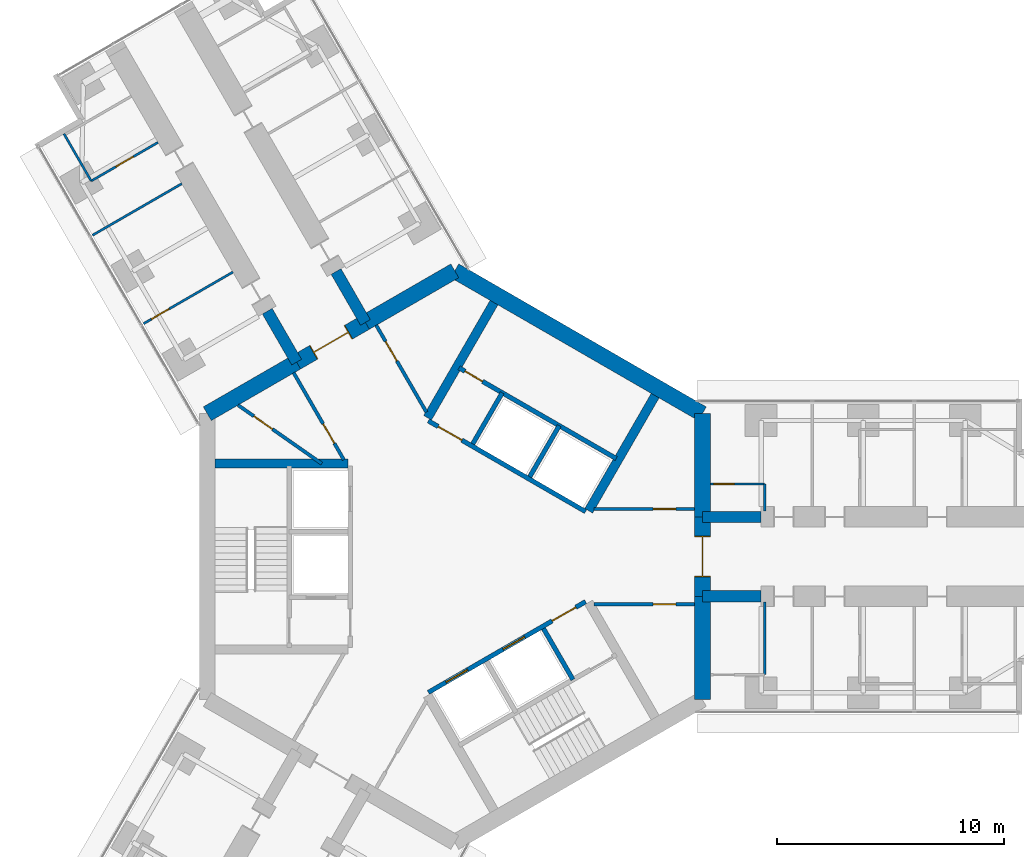
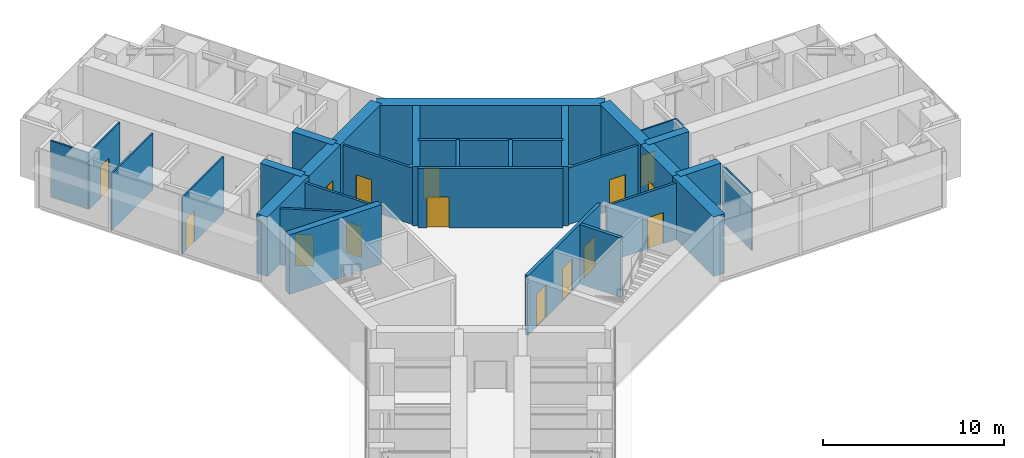
# One storey, part 18 of 25: 32 walls, 15 doors, 15 openings.
"""IFC4 building model written with IfcOpenShell, lengths in metres."""

from ifc_helpers import new_model, si_unit, direction, frame, frame_2d, origin, place, context, subcontext, project, spatial, rectangle, extrude, material, layer, layer_set, type_object, element, fill, save


model = new_model("IFC4")

# Units and contexts
model_context = context("Model", 3, precision=1e-05, world=origin(), true_north=direction((0.0, 1.0)))
body_context = subcontext(model_context, "Body", "Model", "MODEL_VIEW")
ifc_project = project(units=[si_unit("LENGTHUNIT", "METRE"), si_unit("AREAUNIT", "SQUARE_METRE"), si_unit("VOLUMEUNIT", "CUBIC_METRE"), si_unit("PLANEANGLEUNIT", "RADIAN"), si_unit("MASSUNIT", "GRAM", prefix="KILO")], contexts=[model_context])

# Site, building, storey
site_placement = place(None, origin())
site = spatial("IfcSite", under=ifc_project, at=site_placement, CompositionType="ELEMENT")
building_placement = place(site_placement, origin())
building = spatial("IfcBuilding", under=site, at=building_placement, Name="Upepo Twin Towers", CompositionType="ELEMENT")
storey_placement = place(building_placement, frame((0.0, 0.0, 84.5)))
storey = spatial("IfcBuildingStorey", under=building, at=storey_placement, Name="L20", CompositionType="ELEMENT", Elevation=84.5)

# Walls
ifc_material_1 = material(Name="Concrete C60/75", Category="concrete")
ifc_layer_1 = layer(ifc_material_1, 0.5)
ifc_layer_set_1 = layer_set([ifc_layer_1], Name="Concrete C60/75")
wall_type_1 = type_object("IfcWallType", Name="Buttress wall 500 RC", PredefinedType="SHEAR", material=ifc_layer_set_1)
for number, where, z_axis, x_axis, name in (
    (1, (10.908447265625, 1.75, 0.0), (0.0, 0.0, 1.0), (1.0, 0.0, 0.0), "T1 wing A buttress wall L"),
    (2, (10.908447265625, -1.75, 0.0), (0.0, 0.0, 1.0), (1.0, 0.0, 0.0), "T1 wing A buttress wall R"),
):
    element("IfcWall", number, at=place(storey_placement, frame(where, z_axis=z_axis, x_axis=x_axis)), inside=storey, type_object=wall_type_1, Name=name, PredefinedType="SHEAR", context=body_context, shape_type="SweptSolid", body=[
        extrude(rectangle(XDim=2.591552734375, YDim=0.5, at=frame_2d((1.2958984375, 0.0))), origin(), (0.0, 0.0, 1.0), 4.0),
    ])
for number, where, z_axis, x_axis, name in (
    (3, (-6.9697265625, 8.57177734375, 0.0), (0.0, 0.0, 1.0), (-0.499988811324, 0.866031863473, 0.0), "T1 wing B buttress wall L"),
    (4, (-3.938720703125, 10.32177734375, 0.0), (0.0, 0.0, 1.0), (-0.499918158782, 0.866072649678, 0.0), "T1 wing B buttress wall R"),
):
    element("IfcWall", number, at=place(storey_placement, frame(where, z_axis=z_axis, x_axis=x_axis)), inside=storey, type_object=wall_type_1, Name=name, PredefinedType="SHEAR", context=body_context, shape_type="SweptSolid", body=[
        extrude(rectangle(XDim=2.591796875, YDim=0.5, at=frame_2d((1.2958984375, 0.0))), origin(), (0.0, 0.0, 1.0), 4.0),
    ])
ifc_material_2 = material(Name="Concrete C60/75", Category="concrete")
ifc_layer_2 = layer(ifc_material_2, 0.699951171875)
ifc_layer_set_2 = layer_set([ifc_layer_2], Name="Concrete C60/75")
wall_type_2 = type_object("IfcWallType", Name="Core wall 700 RC", PredefinedType="SHEAR", material=ifc_layer_set_2)
wall_1_placement = place(storey_placement, frame((10.908447265625, -6.2978515625, 0.0), z_axis=(0.0, 0.0, 1.0), x_axis=(0.0, 1.0, 0.0)))
element("IfcWall", 5, at=wall_1_placement, inside=storey, type_object=wall_type_2, Name="T1 core wall 000 R", PredefinedType="SHEAR", context=body_context, shape_type="SweptSolid", body=[
    extrude(rectangle(XDim=4.5478515625, YDim=0.699951171875, at=frame_2d((2.27392578125, 0.0))), origin(), (0.0, 0.0, 1.0), 4.0),
])

# Wall, opening, door
wall_2_placement = place(storey_placement, frame((10.908447265625, -1.75, 0.0), z_axis=(0.0, 0.0, 1.0), x_axis=(0.0, 1.0, 0.0)))
wall_2 = element("IfcWall", 6, at=wall_2_placement, inside=storey, type_object=wall_type_2, Name="T1 core wall 000", PredefinedType="SHEAR", context=body_context, shape_type="SweptSolid", body=[
    extrude(rectangle(XDim=3.5, YDim=0.699951171875, at=frame_2d((1.75, 0.0))), origin(), (0.0, 0.0, 1.0), 4.0),
])
opening_1_placement = place(wall_2_placement, frame((0.85009765625, 0.0, 0.0)))
opening_1 = element("IfcOpeningElement", 7, at=opening_1_placement, cuts=wall_2, Name="Opening D2", PredefinedType="OPENING", context=body_context, shape_type="SweptSolid", body=[
    extrude(rectangle(XDim=1.800048828125, YDim=2.10009765625, at=frame_2d((0.89990234375, 1.050048828125))), frame((0.0, 0.35986328125, 0.0), z_axis=(0.0, -1.0, 0.0), x_axis=(1.0, 0.0, 0.0)), (0.0, 0.0, 1.0), 0.719970703125),
])
ifc_material_3 = material(Name="Timber doorset", Category="wood")
door_type_1 = type_object("IfcDoorType", Name="Corridor double door 1800 FD60", OperationType="DOUBLE_DOOR_DOUBLE_SWING", PredefinedType="DOOR", material=ifc_material_3)
door_1_placement = place(opening_1_placement, origin())
door_1 = element("IfcDoor", 8, at=door_1_placement, inside=storey, type_object=door_type_1, Name="T1 L20 wing A corridor door", OperationType="DOUBLE_DOOR_DOUBLE_SWING", OverallHeight=2.10009765625, OverallWidth=1.800048828125, PredefinedType="DOOR", context=body_context, shape_type="SweptSolid", body=[
    extrude(rectangle(XDim=1.720048828125, YDim=2.06009765625, at=frame_2d((0.89990234375, 1.030029296875))), frame((0.0, 0.02490234375, 0.0), z_axis=(0.0, -1.0, 0.0), x_axis=(1.0, 0.0, 0.0)), (0.0, 0.0, 1.0), 0.050048828125),
    extrude(rectangle(XDim=0.04, YDim=2.10009765625, at=frame_2d((0.02001953125, 1.050048828125))), frame((0.0, 0.349609375, 0.0), z_axis=(0.0, -1.0, 0.0), x_axis=(1.0, 0.0, 0.0)), (0.0, 0.0, 1.0), 0.699462890625),
    extrude(rectangle(XDim=0.04, YDim=2.10009765625, at=frame_2d((1.780029296875, 1.050048828125))), frame((0.0, 0.349609375, 0.0), z_axis=(0.0, -1.0, 0.0), x_axis=(1.0, 0.0, 0.0)), (0.0, 0.0, 1.0), 0.699462890625),
    extrude(rectangle(XDim=1.720048828125, YDim=0.04, at=frame_2d((0.89990234375, 2.080078125))), frame((0.0, 0.349609375, 0.0), z_axis=(0.0, -1.0, 0.0), x_axis=(1.0, 0.0, 0.0)), (0.0, 0.0, 1.0), 0.699462890625),
])
fill(opening_1, door_1)

# Walls
wall_3_placement = place(storey_placement, frame((10.908447265625, 1.75, 0.0), z_axis=(0.0, 0.0, 1.0), x_axis=(0.0, 1.0, 0.0)))
element("IfcWall", 9, at=wall_3_placement, inside=storey, type_object=wall_type_2, Name="T1 core wall 000 L", PredefinedType="SHEAR", context=body_context, shape_type="SweptSolid", body=[
    extrude(rectangle(XDim=4.5478515625, YDim=0.699951171875, at=frame_2d((2.27392578125, 0.0))), origin(), (0.0, 0.0, 1.0), 4.0),
])
wall_4_placement = place(storey_placement, frame((10.908447265625, 6.2978515625, 0.0), z_axis=(0.0, 0.0, 1.0), x_axis=(-0.866021940709, 0.500005998175, 0.0)))
element("IfcWall", 10, at=wall_4_placement, inside=storey, type_object=wall_type_2, Name="T1 core wall 060", PredefinedType="SHEAR", context=body_context, shape_type="SweptSolid", body=[
    extrude(rectangle(XDim=12.595947265625, YDim=0.699951171875, at=frame_2d((6.2978515625, 0.0))), origin(), (0.0, 0.0, 1.0), 4.0),
])
wall_5_placement = place(storey_placement, frame((0.0, 12.595947265625, 0.0), z_axis=(0.0, 0.0, 1.0), x_axis=(-0.866011268655, -0.500024481964, 0.0)))
element("IfcWall", 11, at=wall_5_placement, inside=storey, type_object=wall_type_2, Name="T1 core wall 120 R", PredefinedType="SHEAR", context=body_context, shape_type="SweptSolid", body=[
    extrude(rectangle(XDim=4.548095703125, YDim=0.699951171875, at=frame_2d((2.27392578125, 0.0))), origin(), (0.0, 0.0, 1.0), 4.0),
])

# Wall, opening, door
wall_6_placement = place(storey_placement, frame((-3.938720703125, 10.32177734375, 0.0), z_axis=(0.0, 0.0, 1.0), x_axis=(-0.866019471182, -0.500010275428, 0.0)))
wall_6 = element("IfcWall", 12, at=wall_6_placement, inside=storey, type_object=wall_type_2, Name="T1 core wall 120", PredefinedType="SHEAR", context=body_context, shape_type="SweptSolid", body=[
    extrude(rectangle(XDim=3.5, YDim=0.699951171875, at=frame_2d((1.75, 0.0))), origin(), (0.0, 0.0, 1.0), 4.0),
])
opening_2_placement = place(wall_6_placement, frame((0.85009765625, 0.0, 0.0)))
opening_2 = element("IfcOpeningElement", 13, at=opening_2_placement, cuts=wall_6, Name="Opening D2", PredefinedType="OPENING", context=body_context, shape_type="SweptSolid", body=[
    extrude(rectangle(XDim=1.800048828125, YDim=2.10009765625, at=frame_2d((0.89990234375, 1.050048828125))), frame((0.0, 0.35986328125, 0.0), z_axis=(0.0, -1.0, 0.0), x_axis=(1.0, 0.0, 0.0)), (0.0, 0.0, 1.0), 0.719970703125),
])
door_2_placement = place(opening_2_placement, origin())
door_2 = element("IfcDoor", 14, at=door_2_placement, inside=storey, type_object=door_type_1, Name="T1 L20 wing B corridor door", OperationType="DOUBLE_DOOR_DOUBLE_SWING", OverallHeight=2.10009765625, OverallWidth=1.800048828125, PredefinedType="DOOR", context=body_context, shape_type="SweptSolid", body=[
    extrude(rectangle(XDim=1.720048828125, YDim=2.06009765625, at=frame_2d((0.89990234375, 1.030029296875))), frame((0.0, 0.02490234375, 0.0), z_axis=(0.0, -1.0, 0.0), x_axis=(1.0, 0.0, 0.0)), (0.0, 0.0, 1.0), 0.050048828125),
    extrude(rectangle(XDim=0.04, YDim=2.10009765625, at=frame_2d((0.02001953125, 1.050048828125))), frame((0.0, 0.349609375, 0.0), z_axis=(0.0, -1.0, 0.0), x_axis=(1.0, 0.0, 0.0)), (0.0, 0.0, 1.0), 0.699462890625),
    extrude(rectangle(XDim=0.04, YDim=2.10009765625, at=frame_2d((1.780029296875, 1.050048828125))), frame((0.0, 0.349609375, 0.0), z_axis=(0.0, -1.0, 0.0), x_axis=(1.0, 0.0, 0.0)), (0.0, 0.0, 1.0), 0.699462890625),
    extrude(rectangle(XDim=1.720048828125, YDim=0.04, at=frame_2d((0.89990234375, 2.080078125))), frame((0.0, 0.349609375, 0.0), z_axis=(0.0, -1.0, 0.0), x_axis=(1.0, 0.0, 0.0)), (0.0, 0.0, 1.0), 0.699462890625),
])
fill(opening_2, door_2)

# Wall
wall_7_placement = place(storey_placement, frame((-6.9697265625, 8.57177734375, 0.0), z_axis=(0.0, 0.0, 1.0), x_axis=(-0.866034513004, -0.499984222037, 0.0)))
element("IfcWall", 15, at=wall_7_placement, inside=storey, type_object=wall_type_2, Name="T1 core wall 120 L", PredefinedType="SHEAR", context=body_context, shape_type="SweptSolid", body=[
    extrude(rectangle(XDim=4.548095703125, YDim=0.699951171875, at=frame_2d((2.27392578125, 0.0))), origin(), (0.0, 0.0, 1.0), 4.0),
])

# Wall, opening, door
ifc_material_4 = material(Name="Gypsum board on steel studs", Category="steel")
ifc_layer_3 = layer(ifc_material_4, 0.10009765625)
ifc_layer_set_3 = layer_set([ifc_layer_3], Name="Office partition 100 stud")
wall_type_3 = type_object("IfcWallType", Name="Office partition 100 stud", PredefinedType="PARTITIONING", material=ifc_layer_set_3)
wall_8_placement = place(storey_placement, frame((11.258056640625, 3.199951171875, 0.0), z_axis=(0.0, 0.0, 1.0), x_axis=(1.0, 0.0, 0.0)))
wall_8 = element("IfcWall", 16, at=wall_8_placement, inside=storey, type_object=wall_type_3, Name="T1 WC bay partition AL at 11.26", PredefinedType="PARTITIONING", context=body_context, shape_type="SweptSolid", body=[
    extrude(rectangle(XDim=2.39990234375, YDim=0.10009765625, at=frame_2d((1.199951171875, 0.0))), origin(), (0.0, 0.0, 1.0), 3.800048828125),
])
opening_3_placement = place(wall_8_placement, frame((0.14990234375, 0.0, 0.0)))
opening_3 = element("IfcOpeningElement", 17, at=opening_3_placement, cuts=wall_8, Name="Opening D14", PredefinedType="OPENING", context=body_context, shape_type="SweptSolid", body=[
    extrude(rectangle(XDim=0.89990234375, YDim=2.10009765625, at=frame_2d((0.449951171875, 1.050048828125))), frame((0.0, 0.06005859375, 0.0), z_axis=(0.0, -1.0, 0.0), x_axis=(1.0, 0.0, 0.0)), (0.0, 0.0, 1.0), 0.1201171875),
])
ifc_material_5 = material(Name="Timber doorset", Category="wood")
door_type_2 = type_object("IfcDoorType", Name="Office door 900 FD30", OperationType="SINGLE_SWING_LEFT", PredefinedType="DOOR", material=ifc_material_5)
door_3_placement = place(opening_3_placement, origin())
door_3 = element("IfcDoor", 18, at=door_3_placement, inside=storey, type_object=door_type_2, Name="T1 L20 WC bay inner room door", OperationType="SINGLE_SWING_LEFT", OverallHeight=2.10009765625, OverallWidth=0.89990234375, PredefinedType="DOOR", context=body_context, shape_type="SweptSolid", body=[
    extrude(rectangle(XDim=0.89990234375, YDim=2.10009765625, at=frame_2d((0.449951171875, 1.050048828125))), frame((0.0, 0.02490234375, 0.0), z_axis=(0.0, -1.0, 0.0), x_axis=(1.0, 0.0, 0.0)), (0.0, 0.0, 1.0), 0.050048828125),
])
fill(opening_3, door_3)

# Walls
wall_9_placement = place(storey_placement, frame((13.657958984375, 2.0, 0.0), z_axis=(0.0, 0.0, 1.0), x_axis=(0.0, 1.0, 0.0)))
element("IfcWall", 19, at=wall_9_placement, inside=storey, type_object=wall_type_3, Name="T1 WC bay partition AL end at 13.66", PredefinedType="PARTITIONING", context=body_context, shape_type="SweptSolid", body=[
    extrude(rectangle(XDim=1.199951171875, YDim=0.10009765625, at=frame_2d((0.60009765625, 0.0))), origin(), (0.0, 0.0, 1.0), 3.800048828125),
])
wall_10_placement = place(storey_placement, frame((13.657958984375, -2.0, 0.0), z_axis=(0.0, 0.0, 1.0), x_axis=(0.0, -1.0, 0.0)))
element("IfcWall", 20, at=wall_10_placement, inside=storey, type_object=wall_type_3, Name="T1 WC bay partition AR end at 13.66", PredefinedType="PARTITIONING", context=body_context, shape_type="SweptSolid", body=[
    extrude(rectangle(XDim=3.199951171875, YDim=0.10009765625, at=frame_2d((1.60009765625, 0.0))), origin(), (0.0, 0.0, 1.0), 3.800048828125),
])

# Wall, opening, door
wall_11_placement = place(storey_placement, frame((-9.7802734375, 12.539794921875, 0.0), z_axis=(0.0, 0.0, 1.0), x_axis=(-0.866035472144, -0.499982560684, 0.0)))
wall_11 = element("IfcWall", 21, at=wall_11_placement, inside=storey, type_object=wall_type_3, Name="T1 partition BL at 15.75", PredefinedType="PARTITIONING", context=body_context, shape_type="SweptSolid", body=[
    extrude(rectangle(XDim=4.550048828125, YDim=0.10009765625, at=frame_2d((2.27490234375, 0.0))), origin(), (0.0, 0.0, 1.0), 3.800048828125),
])
opening_4_placement = place(wall_11_placement, frame((3.25, 0.0, 0.0)))
opening_4 = element("IfcOpeningElement", 22, at=opening_4_placement, cuts=wall_11, Name="Opening D14", PredefinedType="OPENING", context=body_context, shape_type="SweptSolid", body=[
    extrude(rectangle(XDim=0.89990234375, YDim=2.10009765625, at=frame_2d((0.449951171875, 1.050048828125))), frame((0.0, 0.06005859375, 0.0), z_axis=(0.0, -1.0, 0.0), x_axis=(1.0, 0.0, 0.0)), (0.0, 0.0, 1.0), 0.1201171875),
])
door_4_placement = place(opening_4_placement, origin())
door_4 = element("IfcDoor", 23, at=door_4_placement, inside=storey, type_object=door_type_2, Name="T1 L20 connecting door", OperationType="SINGLE_SWING_RIGHT", OverallHeight=2.10009765625, OverallWidth=0.89990234375, PredefinedType="DOOR", context=body_context, shape_type="SweptSolid", body=[
    extrude(rectangle(XDim=0.89990234375, YDim=2.10009765625, at=frame_2d((0.449951171875, 1.050048828125))), frame((0.0, 0.02490234375, 0.0), z_axis=(0.0, -1.0, 0.0), x_axis=(1.0, 0.0, 0.0)), (0.0, 0.0, 1.0), 0.050048828125),
])
fill(opening_4, door_4)

# Walls
wall_12_placement = place(storey_placement, frame((-12.0302734375, 16.43701171875, 0.0), z_axis=(0.0, 0.0, 1.0), x_axis=(-0.866035472144, -0.499982560684, 0.0)))
element("IfcWall", 24, at=wall_12_placement, inside=storey, type_object=wall_type_3, Name="T1 partition BL at 20.25", PredefinedType="PARTITIONING", context=body_context, shape_type="SweptSolid", body=[
    extrude(rectangle(XDim=4.550048828125, YDim=0.10009765625, at=frame_2d((2.27490234375, 0.0))), origin(), (0.0, 0.0, 1.0), 3.800048828125),
])
wall_13_placement = place(storey_placement, frame((-16.024658203125, 16.5556640625, 0.0), z_axis=(0.0, 0.0, 1.0), x_axis=(-0.500077600433, 0.865980596518, 0.0)))
element("IfcWall", 25, at=wall_13_placement, inside=storey, type_object=wall_type_3, Name="T1 inner room partition BL at 22.35", PredefinedType="PARTITIONING", context=body_context, shape_type="SweptSolid", body=[
    extrude(rectangle(XDim=2.39990234375, YDim=0.10009765625, at=frame_2d((1.199951171875, 0.0))), origin(), (0.0, 0.0, 1.0), 3.800048828125),
])

# Wall, opening, door
wall_14_placement = place(storey_placement, frame((-13.080322265625, 18.255615234375, 0.0), z_axis=(0.0, 0.0, 1.0), x_axis=(-0.866020560687, -0.500008388397, 0.0)))
wall_14 = element("IfcWall", 26, at=wall_14_placement, inside=storey, type_object=wall_type_3, Name="T1 inner room partition BL end at 22.35", PredefinedType="PARTITIONING", context=body_context, shape_type="SweptSolid", body=[
    extrude(rectangle(XDim=3.39990234375, YDim=0.10009765625, at=frame_2d((1.699951171875, 0.0))), origin(), (0.0, 0.0, 1.0), 3.800048828125),
])
opening_5_placement = place(wall_14_placement, frame((1.25, 0.0, 0.0)))
opening_5 = element("IfcOpeningElement", 27, at=opening_5_placement, cuts=wall_14, Name="Opening D14", PredefinedType="OPENING", context=body_context, shape_type="SweptSolid", body=[
    extrude(rectangle(XDim=0.89990234375, YDim=2.10009765625, at=frame_2d((0.449951171875, 1.050048828125))), frame((0.0, 0.06005859375, 0.0), z_axis=(0.0, -1.0, 0.0), x_axis=(1.0, 0.0, 0.0)), (0.0, 0.0, 1.0), 0.1201171875),
])
door_5_placement = place(opening_5_placement, origin())
door_5 = element("IfcDoor", 28, at=door_5_placement, inside=storey, type_object=door_type_2, Name="T1 L20 inner room door", OperationType="SINGLE_SWING_LEFT", OverallHeight=2.10009765625, OverallWidth=0.89990234375, PredefinedType="DOOR", context=body_context, shape_type="SweptSolid", body=[
    extrude(rectangle(XDim=0.89990234375, YDim=2.10009765625, at=frame_2d((0.449951171875, 1.050048828125))), frame((0.0, 0.02490234375, 0.0), z_axis=(0.0, -1.0, 0.0), x_axis=(1.0, 0.0, 0.0)), (0.0, 0.0, 1.0), 0.050048828125),
])
fill(opening_5, door_5)

ifc_material_6 = material(Name="Concrete C40/50", Category="concrete")
ifc_layer_4 = layer(ifc_material_6, 0.199951171875)
ifc_layer_set_4 = layer_set([ifc_layer_4], Name="Concrete C40/50")
wall_type_4 = type_object("IfcWallType", Name="Shaft wall 200 RC", PredefinedType="SHEAR", material=ifc_layer_set_4)
wall_15_placement = place(storey_placement, frame((5.76416015625, 1.983642578125, 0.0), z_axis=(0.0, 0.0, 1.0), x_axis=(-0.866026010844, 0.49999894854, 0.0)))
wall_15 = element("IfcWall", 29, at=wall_15_placement, inside=storey, type_object=wall_type_4, Name="T1 core W60 front wall", PredefinedType="SHEAR", context=body_context, shape_type="SweptSolid", body=[
    extrude(rectangle(XDim=8.0, YDim=0.199951171875, at=frame_2d((4.0, 0.0))), origin(), (0.0, 0.0, 1.0), 4.0),
])
opening_6_placement = place(wall_15_placement, frame((6.300048828125, 0.0, 0.0)))
opening_6 = element("IfcOpeningElement", 30, at=opening_6_placement, cuts=wall_15, Name="Opening D4", PredefinedType="OPENING", context=body_context, shape_type="SweptSolid", body=[
    extrude(rectangle(XDim=1.199951171875, YDim=2.10009765625, at=frame_2d((0.60009765625, 1.050048828125))), frame((0.0, 0.10986328125, 0.0), z_axis=(0.0, -1.0, 0.0), x_axis=(1.0, 0.0, 0.0)), (0.0, 0.0, 1.0), 0.219970703125),
])
ifc_material_7 = material(Name="Timber doorset", Category="wood")
door_type_3 = type_object("IfcDoorType", Name="Lobby door 1200 FD60", OperationType="SINGLE_SWING_LEFT", PredefinedType="DOOR", material=ifc_material_7)
door_6_placement = place(opening_6_placement, origin())
door_6 = element("IfcDoor", 31, at=door_6_placement, inside=storey, type_object=door_type_3, Name="T1 L20 W60 lobby door", OperationType="SINGLE_SWING_RIGHT", OverallHeight=2.10009765625, OverallWidth=1.199951171875, PredefinedType="DOOR", context=body_context, shape_type="SweptSolid", body=[
    extrude(rectangle(XDim=1.199951171875, YDim=2.10009765625, at=frame_2d((0.60009765625, 1.050048828125))), frame((0.0, 0.02490234375, 0.0), z_axis=(0.0, -1.0, 0.0), x_axis=(1.0, 0.0, 0.0)), (0.0, 0.0, 1.0), 0.050048828125),
])
fill(opening_6, door_6)

# Walls
for number, where, z_axis, x_axis, name in (
    (32, (3.302734375, 3.520263671875, 0.0), (0.0, 0.0, 1.0), (0.499936506574, 0.866062058628, 0.0), "T1 core W60 shaft divider"),
    (33, (0.791259765625, 4.97021484375, 0.0), (0.0, 0.0, 1.0), (0.499936506574, 0.866062058628, 0.0), "T1 core W60 lobby wall"),
):
    element("IfcWall", number, at=place(storey_placement, frame(where, z_axis=z_axis, x_axis=x_axis)), inside=storey, type_object=wall_type_4, Name=name, PredefinedType="SHEAR", context=body_context, shape_type="SweptSolid", body=[
        extrude(rectangle(XDim=2.599853515625, YDim=0.199951171875, at=frame_2d((1.2998046875, 0.0))), origin(), (0.0, 0.0, 1.0), 4.0),
    ])

# Wall, opening, door
wall_16_placement = place(storey_placement, frame((7.114013671875, 4.322021484375, 0.0), z_axis=(0.0, 0.0, 1.0), x_axis=(-0.866026010844, 0.49999894854, 0.0)))
wall_16 = element("IfcWall", 34, at=wall_16_placement, inside=storey, type_object=wall_type_4, Name="T1 core W60 stair wall", PredefinedType="SHEAR", context=body_context, shape_type="SweptSolid", body=[
    extrude(rectangle(XDim=8.0, YDim=0.199951171875, at=frame_2d((4.0, 0.0))), origin(), (0.0, 0.0, 1.0), 4.0),
])
opening_7_placement = place(wall_16_placement, frame((6.800048828125, 0.0, 0.0)))
opening_7 = element("IfcOpeningElement", 35, at=opening_7_placement, cuts=wall_16, Name="Opening D9", PredefinedType="OPENING", context=body_context, shape_type="SweptSolid", body=[
    extrude(rectangle(XDim=0.89990234375, YDim=2.10009765625, at=frame_2d((0.449951171875, 1.050048828125))), frame((0.0, 0.10986328125, 0.0), z_axis=(0.0, -1.0, 0.0), x_axis=(1.0, 0.0, 0.0)), (0.0, 0.0, 1.0), 0.219970703125),
])
ifc_material_8 = material(Name="Timber doorset", Category="wood")
door_type_4 = type_object("IfcDoorType", Name="Riser door 900 FD60", OperationType="SINGLE_SWING_LEFT", PredefinedType="DOOR", material=ifc_material_8)
door_7_placement = place(opening_7_placement, origin())
door_7 = element("IfcDoor", 36, at=door_7_placement, inside=storey, type_object=door_type_4, Name="T1 L20 riser door", OperationType="SINGLE_SWING_RIGHT", OverallHeight=2.10009765625, OverallWidth=0.89990234375, PredefinedType="DOOR", context=body_context, shape_type="SweptSolid", body=[
    extrude(rectangle(XDim=0.89990234375, YDim=2.10009765625, at=frame_2d((0.449951171875, 1.050048828125))), frame((0.0, 0.02490234375, 0.0), z_axis=(0.0, -1.0, 0.0), x_axis=(1.0, 0.0, 0.0)), (0.0, 0.0, 1.0), 0.050048828125),
])
fill(opening_7, door_7)

# Wall, openings, doors
wall_17_placement = place(storey_placement, frame((-1.1640625, -5.983642578125, 0.0), z_axis=(0.0, 0.0, 1.0), x_axis=(0.866026010844, 0.49999894854, 0.0)))
wall_17 = element("IfcWall", 37, at=wall_17_placement, inside=storey, type_object=wall_type_4, Name="T1 core W300 front wall", PredefinedType="SHEAR", context=body_context, shape_type="SweptSolid", body=[
    extrude(rectangle(XDim=8.0, YDim=0.199951171875, at=frame_2d((4.0, 0.0))), origin(), (0.0, 0.0, 1.0), 4.0),
])
opening_8_placement = place(wall_17_placement, frame((6.300048828125, 0.0, 0.0)))
opening_8 = element("IfcOpeningElement", 38, at=opening_8_placement, cuts=wall_17, Name="Opening D4", PredefinedType="OPENING", context=body_context, shape_type="SweptSolid", body=[
    extrude(rectangle(XDim=1.199951171875, YDim=2.10009765625, at=frame_2d((0.60009765625, 1.050048828125))), frame((0.0, 0.10986328125, 0.0), z_axis=(0.0, -1.0, 0.0), x_axis=(1.0, 0.0, 0.0)), (0.0, 0.0, 1.0), 0.219970703125),
])
opening_9_placement = place(wall_17_placement, frame((0.89990234375, 0.0, 0.0)))
opening_9 = element("IfcOpeningElement", 39, at=opening_9_placement, cuts=wall_17, Name="Opening LD1", PredefinedType="OPENING", context=body_context, shape_type="SweptSolid", body=[
    extrude(rectangle(XDim=1.10009765625, YDim=2.199951171875, at=frame_2d((0.550048828125, 1.10009765625))), frame((0.0, 0.10986328125, 0.0), z_axis=(0.0, -1.0, 0.0), x_axis=(1.0, 0.0, 0.0)), (0.0, 0.0, 1.0), 0.219970703125),
])
opening_10_placement = place(wall_17_placement, frame((3.800048828125, 0.0, 0.0)))
opening_10 = element("IfcOpeningElement", 40, at=opening_10_placement, cuts=wall_17, Name="Opening LD1", PredefinedType="OPENING", context=body_context, shape_type="SweptSolid", body=[
    extrude(rectangle(XDim=1.10009765625, YDim=2.199951171875, at=frame_2d((0.550048828125, 1.10009765625))), frame((0.0, 0.10986328125, 0.0), z_axis=(0.0, -1.0, 0.0), x_axis=(1.0, 0.0, 0.0)), (0.0, 0.0, 1.0), 0.219970703125),
])
ifc_material_9 = material(Name="Steel doorset", Category="steel")
door_type_5 = type_object("IfcDoorType", Name="Lift landing door 1100", OperationType="DOUBLE_DOOR_SLIDING", PredefinedType="DOOR", material=ifc_material_9)
door_8_placement = place(opening_9_placement, origin())
door_8 = element("IfcDoor", 41, at=door_8_placement, inside=storey, type_object=door_type_5, Name="T1 L20 lift LL1 landing door", OperationType="DOUBLE_DOOR_SLIDING", OverallHeight=2.199951171875, OverallWidth=1.10009765625, PredefinedType="DOOR", context=body_context, shape_type="SweptSolid", body=[
    extrude(rectangle(XDim=1.10009765625, YDim=2.199951171875, at=frame_2d((0.550048828125, 1.10009765625))), frame((0.0, 0.02490234375, 0.0), z_axis=(0.0, -1.0, 0.0), x_axis=(1.0, 0.0, 0.0)), (0.0, 0.0, 1.0), 0.050048828125),
])
fill(opening_9, door_8)
door_9_placement = place(opening_10_placement, origin())
door_9 = element("IfcDoor", 42, at=door_9_placement, inside=storey, type_object=door_type_5, Name="T1 L20 lift LL2 landing door", OperationType="DOUBLE_DOOR_SLIDING", OverallHeight=2.199951171875, OverallWidth=1.10009765625, PredefinedType="DOOR", context=body_context, shape_type="SweptSolid", body=[
    extrude(rectangle(XDim=1.10009765625, YDim=2.199951171875, at=frame_2d((0.550048828125, 1.10009765625))), frame((0.0, 0.02490234375, 0.0), z_axis=(0.0, -1.0, 0.0), x_axis=(1.0, 0.0, 0.0)), (0.0, 0.0, 1.0), 0.050048828125),
])
fill(opening_10, door_9)
door_10_placement = place(opening_8_placement, origin())
door_10 = element("IfcDoor", 43, at=door_10_placement, inside=storey, type_object=door_type_3, Name="T1 L20 W300 lobby door", OperationType="SINGLE_SWING_RIGHT", OverallHeight=2.10009765625, OverallWidth=1.199951171875, PredefinedType="DOOR", context=body_context, shape_type="SweptSolid", body=[
    extrude(rectangle(XDim=1.199951171875, YDim=2.10009765625, at=frame_2d((0.60009765625, 1.050048828125))), frame((0.0, 0.02490234375, 0.0), z_axis=(0.0, -1.0, 0.0), x_axis=(1.0, 0.0, 0.0)), (0.0, 0.0, 1.0), 0.050048828125),
])
fill(opening_8, door_10)

# Walls
wall_18_placement = place(storey_placement, frame((3.908935546875, -3.17041015625, 0.0), z_axis=(0.0, 0.0, 1.0), x_axis=(0.49997716683, -0.86603858612, 0.0)))
element("IfcWall", 44, at=wall_18_placement, inside=storey, type_object=wall_type_4, Name="T1 core W300 lobby wall", PredefinedType="SHEAR", context=body_context, shape_type="SweptSolid", body=[
    extrude(rectangle(XDim=2.599609375, YDim=0.199951171875, at=frame_2d((1.2998046875, 0.0))), origin(), (0.0, 0.0, 1.0), 4.0),
])
ifc_material_10 = material(Name="Concrete C40/50", Category="concrete")
ifc_layer_5 = layer(ifc_material_10, 0.39990234375)
ifc_layer_set_5 = layer_set([ifc_layer_5], Name="Concrete C40/50")
wall_type_5 = type_object("IfcWallType", Name="Shaft wall 400 RC", PredefinedType="SHEAR", material=ifc_layer_set_5)
for number, where, z_axis, x_axis, name in (
    (45, (-1.20068359375, 6.120361328125, 0.0), (0.0, 0.0, 1.0), (0.500002627198, 0.866023886965, 0.0), "T1 core W60 side wall N"),
    (46, (5.900634765625, 2.020263671875, 0.0), (0.0, 0.0, 1.0), (0.500002627198, 0.866023886965, 0.0), "T1 core W60 side wall S"),
    (47, (-4.699951171875, 4.10009765625, 0.0), (0.0, 0.0, 1.0), (-1.0, 0.0, 0.0), "T1 core W180 side wall S"),
):
    element("IfcWall", number, at=place(storey_placement, frame(where, z_axis=z_axis, x_axis=x_axis)), inside=storey, type_object=wall_type_5, Name=name, PredefinedType="SHEAR", context=body_context, shape_type="SweptSolid", body=[
        extrude(rectangle(XDim=5.8583984375, YDim=0.39990234375, at=frame_2d((2.92919921875, 0.0))), origin(), (0.0, 0.0, 1.0), 4.0),
    ])

# Wall, opening, door
ifc_material_11 = material(Name="Gypsum board on steel studs", Category="steel")
ifc_layer_6 = layer(ifc_material_11, 0.14990234375)
ifc_layer_set_6 = layer_set([ifc_layer_6], Name="Teaching partition 150 acoustic")
wall_type_6 = type_object("IfcWallType", Name="Teaching partition 150 acoustic", PredefinedType="PARTITIONING", material=ifc_layer_set_6)
wall_19_placement = place(storey_placement, frame((-4.889892578125, 4.269775390625, 0.0), z_axis=(0.0, 0.0, 1.0), x_axis=(-0.500007369519, 0.866021148949, 0.0)))
wall_19 = element("IfcWall", 48, at=wall_19_placement, inside=storey, type_object=wall_type_6, Name="T1 core room partition 3", PredefinedType="PARTITIONING", context=body_context, shape_type="SweptSolid", body=[
    extrude(rectangle(XDim=4.42578125, YDim=0.14990234375, at=frame_2d((2.212890625, 0.0))), origin(), (0.0, 0.0, 1.0), 3.800048828125),
])
opening_11_placement = place(wall_19_placement, frame((0.82763671875, 0.0, 0.0)))
opening_11 = element("IfcOpeningElement", 49, at=opening_11_placement, cuts=wall_19, Name="Opening D1", PredefinedType="OPENING", context=body_context, shape_type="SweptSolid", body=[
    extrude(rectangle(XDim=1.0, YDim=2.10009765625, at=frame_2d((0.5, 1.050048828125))), frame((0.0, 0.0849609375, 0.0), z_axis=(0.0, -1.0, 0.0), x_axis=(1.0, 0.0, 0.0)), (0.0, 0.0, 1.0), 0.169921875),
])
ifc_material_12 = material(Name="Timber doorset", Category="wood")
door_type_6 = type_object("IfcDoorType", Name="Room door 1000 FD30", OperationType="SINGLE_SWING_LEFT", PredefinedType="DOOR", material=ifc_material_12)
door_11_placement = place(opening_11_placement, origin())
door_11 = element("IfcDoor", 50, at=door_11_placement, inside=storey, type_object=door_type_6, Name="T1 L20 core room door K7", OperationType="SINGLE_SWING_LEFT", OverallHeight=2.10009765625, OverallWidth=1.0, PredefinedType="DOOR", context=body_context, shape_type="SweptSolid", body=[
    extrude(rectangle(XDim=1.0, YDim=2.10009765625, at=frame_2d((0.5, 1.050048828125))), frame((0.0, 0.02490234375, 0.0), z_axis=(0.0, -1.0, 0.0), x_axis=(1.0, 0.0, 0.0)), (0.0, 0.0, 1.0), 0.050048828125),
])
fill(opening_11, door_11)

wall_20_placement = place(storey_placement, frame((-3.465576171875, 10.202392578125, 0.0), z_axis=(0.0, 0.0, 1.0), x_axis=(0.500007369519, -0.866021148949, 0.0)))
wall_20 = element("IfcWall", 51, at=wall_20_placement, inside=storey, type_object=wall_type_6, Name="T1 core room partition 4", PredefinedType="PARTITIONING", context=body_context, shape_type="SweptSolid", body=[
    extrude(rectangle(XDim=4.42578125, YDim=0.14990234375, at=frame_2d((2.212890625, 0.0))), origin(), (0.0, 0.0, 1.0), 3.800048828125),
])
opening_12_placement = place(wall_20_placement, frame((0.82763671875, 0.0, 0.0)))
opening_12 = element("IfcOpeningElement", 52, at=opening_12_placement, cuts=wall_20, Name="Opening D1", PredefinedType="OPENING", context=body_context, shape_type="SweptSolid", body=[
    extrude(rectangle(XDim=1.0, YDim=2.10009765625, at=frame_2d((0.5, 1.050048828125))), frame((0.0, 0.0849609375, 0.0), z_axis=(0.0, -1.0, 0.0), x_axis=(1.0, 0.0, 0.0)), (0.0, 0.0, 1.0), 0.169921875),
])
door_12_placement = place(opening_12_placement, origin())
door_12 = element("IfcDoor", 53, at=door_12_placement, inside=storey, type_object=door_type_6, Name="T1 L20 core room door K5", OperationType="SINGLE_SWING_LEFT", OverallHeight=2.10009765625, OverallWidth=1.0, PredefinedType="DOOR", context=body_context, shape_type="SweptSolid", body=[
    extrude(rectangle(XDim=1.0, YDim=2.10009765625, at=frame_2d((0.5, 1.050048828125))), frame((0.0, 0.02490234375, 0.0), z_axis=(0.0, -1.0, 0.0), x_axis=(1.0, 0.0, 0.0)), (0.0, 0.0, 1.0), 0.050048828125),
])
fill(opening_12, door_12)

wall_21_placement = place(storey_placement, frame((6.142578125, 2.10009765625, 0.0), z_axis=(0.0, 0.0, 1.0), x_axis=(1.0, 0.0, 0.0)))
wall_21 = element("IfcWall", 54, at=wall_21_placement, inside=storey, type_object=wall_type_6, Name="T1 core room partition 5", PredefinedType="PARTITIONING", context=body_context, shape_type="SweptSolid", body=[
    extrude(rectangle(XDim=4.42578125, YDim=0.14990234375, at=frame_2d((2.212890625, 0.0))), origin(), (0.0, 0.0, 1.0), 3.800048828125),
])
opening_13_placement = place(wall_21_placement, frame((2.597900390625, 0.0, 0.0)))
opening_13 = element("IfcOpeningElement", 55, at=opening_13_placement, cuts=wall_21, Name="Opening D1", PredefinedType="OPENING", context=body_context, shape_type="SweptSolid", body=[
    extrude(rectangle(XDim=1.0, YDim=2.10009765625, at=frame_2d((0.5, 1.050048828125))), frame((0.0, 0.0849609375, 0.0), z_axis=(0.0, -1.0, 0.0), x_axis=(1.0, 0.0, 0.0)), (0.0, 0.0, 1.0), 0.169921875),
])
door_13_placement = place(opening_13_placement, origin())
door_13 = element("IfcDoor", 56, at=door_13_placement, inside=storey, type_object=door_type_6, Name="T1 L20 core room door K4", OperationType="SINGLE_SWING_RIGHT", OverallHeight=2.10009765625, OverallWidth=1.0, PredefinedType="DOOR", context=body_context, shape_type="SweptSolid", body=[
    extrude(rectangle(XDim=1.0, YDim=2.10009765625, at=frame_2d((0.5, 1.050048828125))), frame((0.0, 0.02490234375, 0.0), z_axis=(0.0, -1.0, 0.0), x_axis=(1.0, 0.0, 0.0)), (0.0, 0.0, 1.0), 0.050048828125),
])
fill(opening_13, door_13)

wall_22_placement = place(storey_placement, frame((10.568359375, -2.10009765625, 0.0), z_axis=(0.0, 0.0, 1.0), x_axis=(-1.0, 0.0, 0.0)))
wall_22 = element("IfcWall", 57, at=wall_22_placement, inside=storey, type_object=wall_type_6, Name="T1 core room partition 6", PredefinedType="PARTITIONING", context=body_context, shape_type="SweptSolid", body=[
    extrude(rectangle(XDim=4.42578125, YDim=0.14990234375, at=frame_2d((2.212890625, 0.0))), origin(), (0.0, 0.0, 1.0), 3.800048828125),
])
opening_14_placement = place(wall_22_placement, frame((0.82763671875, 0.0, 0.0)))
opening_14 = element("IfcOpeningElement", 58, at=opening_14_placement, cuts=wall_22, Name="Opening D1", PredefinedType="OPENING", context=body_context, shape_type="SweptSolid", body=[
    extrude(rectangle(XDim=1.0, YDim=2.10009765625, at=frame_2d((0.5, 1.050048828125))), frame((0.0, 0.0849609375, 0.0), z_axis=(0.0, -1.0, 0.0), x_axis=(1.0, 0.0, 0.0)), (0.0, 0.0, 1.0), 0.169921875),
])
door_14_placement = place(opening_14_placement, origin())
door_14 = element("IfcDoor", 59, at=door_14_placement, inside=storey, type_object=door_type_6, Name="T1 L20 core room door K3", OperationType="SINGLE_SWING_LEFT", OverallHeight=2.10009765625, OverallWidth=1.0, PredefinedType="DOOR", context=body_context, shape_type="SweptSolid", body=[
    extrude(rectangle(XDim=1.0, YDim=2.10009765625, at=frame_2d((0.5, 1.050048828125))), frame((0.0, 0.02490234375, 0.0), z_axis=(0.0, -1.0, 0.0), x_axis=(1.0, 0.0, 0.0)), (0.0, 0.0, 1.0), 0.050048828125),
])
fill(opening_14, door_14)

wall_23_placement = place(storey_placement, frame((-5.865478515625, 4.10009765625, 0.0), z_axis=(0.0, 0.0, 1.0), x_axis=(-0.819614241928, 0.572915783016, 0.0)))
wall_23 = element("IfcWall", 60, at=wall_23_placement, inside=storey, type_object=wall_type_6, Name="T1 core room partition 7", PredefinedType="PARTITIONING", context=body_context, shape_type="SweptSolid", body=[
    extrude(rectangle(XDim=4.497802734375, YDim=0.14990234375, at=frame_2d((2.2490234375, 0.0))), origin(), (0.0, 0.0, 1.0), 3.800048828125),
])
opening_15_placement = place(wall_23_placement, frame((2.6484375, 0.0, 0.0)))
opening_15 = element("IfcOpeningElement", 61, at=opening_15_placement, cuts=wall_23, Name="Opening D1", PredefinedType="OPENING", context=body_context, shape_type="SweptSolid", body=[
    extrude(rectangle(XDim=1.0, YDim=2.10009765625, at=frame_2d((0.5, 1.050048828125))), frame((0.0, 0.0849609375, 0.0), z_axis=(0.0, -1.0, 0.0), x_axis=(1.0, 0.0, 0.0)), (0.0, 0.0, 1.0), 0.169921875),
])
door_15_placement = place(opening_15_placement, origin())
door_15 = element("IfcDoor", 62, at=door_15_placement, inside=storey, type_object=door_type_6, Name="T1 L20 core room door K6", OperationType="SINGLE_SWING_RIGHT", OverallHeight=2.10009765625, OverallWidth=1.0, PredefinedType="DOOR", context=body_context, shape_type="SweptSolid", body=[
    extrude(rectangle(XDim=1.0, YDim=2.10009765625, at=frame_2d((0.5, 1.050048828125))), frame((0.0, 0.02490234375, 0.0), z_axis=(0.0, -1.0, 0.0), x_axis=(1.0, 0.0, 0.0)), (0.0, 0.0, 1.0), 0.050048828125),
])
fill(opening_15, door_15)

save(model, "model.ifc")
